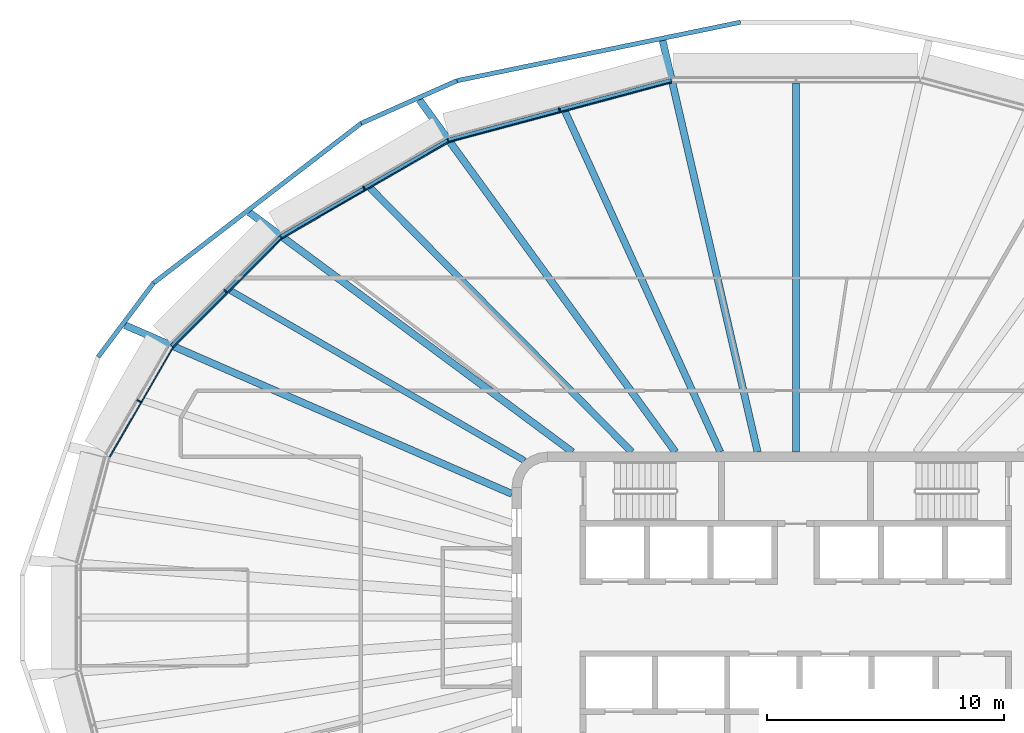
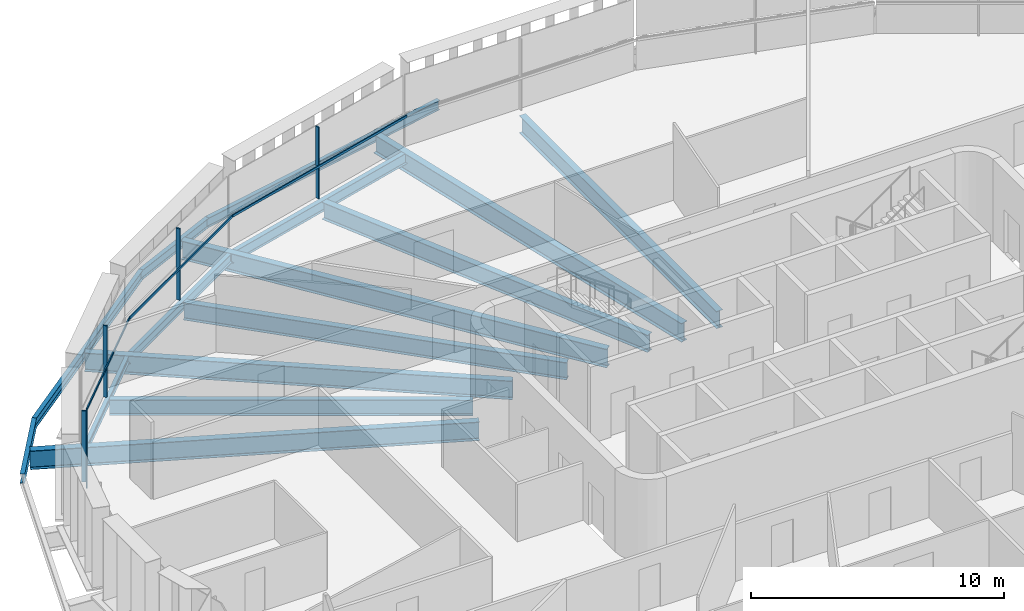
# One storey, part 6 of 20: 15 beams, 8 members, 4 elements without a shape of their own.
"""IFC4 building model written with IfcOpenShell, lengths in metres."""

from ifc_helpers import new_model, si_unit, direction, frame, origin, origin_2d, place, context, subcontext, project, spatial, rectangle, i_section, extrude, material, layer, layer_set, material_profile, profile_set, type_object, element, aggregate, save


model = new_model("IFC4")

# Units and contexts
model_context = context("Model", 3, precision=1e-05, world=origin(), true_north=direction((0.0, 1.0)))
body_context = subcontext(model_context, "Body", "Model", "MODEL_VIEW")
ifc_project = project(units=[si_unit("LENGTHUNIT", "METRE"), si_unit("AREAUNIT", "SQUARE_METRE"), si_unit("VOLUMEUNIT", "CUBIC_METRE"), si_unit("PLANEANGLEUNIT", "RADIAN"), si_unit("MASSUNIT", "GRAM", prefix="KILO")], contexts=[model_context])

# Site, building, storey
site_placement = place(None, origin())
site = spatial("IfcSite", under=ifc_project, at=site_placement, CompositionType="ELEMENT")
building_placement = place(site_placement, origin())
building = spatial("IfcBuilding", under=site, at=building_placement, Name="Sahrelin Media Tower", CompositionType="ELEMENT")
storey_placement = place(building_placement, frame((0.0, 0.0, 245.60009765625)))
storey = spatial("IfcBuildingStorey", under=building, at=storey_placement, Name="L53", CompositionType="ELEMENT", Elevation=245.60009765625)

# Beams
ifc_material_1 = material(Name="Steel S355", Category="steel")
ifc_material_profile_1 = material_profile(ifc_material_1, i_section(OverallWidth=0.17138671875, OverallDepth=0.35498046875, WebThickness=0.00732421875, FlangeThickness=0.011474609375, FilletRadius=0.01025390625, at=origin_2d()), Name="UB 356x171x51")
ifc_profile_set_1 = profile_set([ifc_material_profile_1], Name="Steel S355")
beam_type_1 = type_object("IfcBeamType", Name="Edge beam EB3", PredefinedType="BEAM", material=ifc_profile_set_1)
beam_1_placement = place(storey_placement, frame((-26.381591796875, 11.476318359375, -0.32763671875), z_axis=(0.707106781187, 0.707106781187, 0.0), x_axis=(-0.707106781187, 0.707106781187, 0.0)))
element("IfcBeam", 1, at=beam_1_placement, inside=storey, type_object=beam_type_1, Name="Edge beam L53-16", PredefinedType="BEAM", context=body_context, shape_type="SweptSolid", body=[
    extrude(i_section(OverallWidth=0.17138671875, OverallDepth=0.35498046875, WebThickness=0.00732421875, FlangeThickness=0.011474609375, FilletRadius=0.01025390625, at=origin_2d()), origin(), (0.0, 0.0, 1.0), 6.508544921875),
])
ifc_material_profile_2 = material_profile(ifc_material_1, i_section(OverallWidth=0.1904296875, OverallDepth=0.45703125, WebThickness=0.009033203125, FlangeThickness=0.014404296875, FilletRadius=0.01025390625, at=origin_2d()), Name="UB 457x191x74")
ifc_profile_set_2 = profile_set([ifc_material_profile_2], Name="Steel S355")
beam_type_2 = type_object("IfcBeamType", Name="Edge beam EB5", PredefinedType="BEAM", material=ifc_profile_set_2)
beam_2_placement = place(storey_placement, frame((-21.756591796875, 16.095947265625, -0.378662109375), z_axis=(0.866024038412, 0.500002364886, 0.0), x_axis=(-0.500002364886, 0.866024038412, 0.0)))
element("IfcBeam", 2, at=beam_2_placement, inside=storey, type_object=beam_type_2, Name="Edge beam L53-17", PredefinedType="BEAM", context=body_context, shape_type="SweptSolid", body=[
    extrude(i_section(OverallWidth=0.1904296875, OverallDepth=0.45703125, WebThickness=0.009033203125, FlangeThickness=0.014404296875, FilletRadius=0.01025390625, at=origin_2d()), origin(), (0.0, 0.0, 1.0), 8.12890625),
])
ifc_material_profile_3 = material_profile(ifc_material_1, i_section(OverallWidth=0.208740234375, OverallDepth=0.5283203125, WebThickness=0.009521484375, FlangeThickness=0.01318359375, FilletRadius=0.0126953125, at=origin_2d()), Name="UB 533x210x82")
ifc_profile_set_3 = profile_set([ifc_material_profile_3], Name="Steel S355")
beam_type_3 = type_object("IfcBeamType", Name="Edge beam EB6", PredefinedType="BEAM", material=ifc_profile_set_3)
beam_3_placement = place(storey_placement, frame((-14.690185546875, 20.17138671875, -0.414306640625), z_axis=(0.965922692081, 0.258830741845, 0.0), x_axis=(-0.258830741845, 0.965922692081, 0.0)))
element("IfcBeam", 3, at=beam_3_placement, inside=storey, type_object=beam_type_3, Name="Edge beam L53-18", PredefinedType="BEAM", context=body_context, shape_type="SweptSolid", body=[
    extrude(i_section(OverallWidth=0.208740234375, OverallDepth=0.5283203125, WebThickness=0.009521484375, FlangeThickness=0.01318359375, FilletRadius=0.0126953125, at=origin_2d()), origin(), (0.0, 0.0, 1.0), 9.755126953125),
])

# Curtain wall, member
ifc_material_2 = material(Name="Champagne anodised aluminium 6063-T6", Category="aluminium")
ifc_layer = layer(ifc_material_2, 0.14990234375)
ifc_layer_set = layer_set([ifc_layer], Name="Tower ribbon curtain wall")
curtain_wall_type = type_object("IfcCurtainWallType", Name="Tower ribbon curtain wall", PredefinedType="NOTDEFINED", material=ifc_layer_set)
curtain_wall_1_placement = place(storey_placement, frame((-10.017578125, 21.578857421875, 0.0), z_axis=(0.0, 0.0, 1.0), x_axis=(1.0, 0.0, 0.0)))
curtain_wall_1 = element("IfcCurtainWall", 4, at=curtain_wall_1_placement, inside=storey, type_object=curtain_wall_type, Name="L53:CW:L53-07", PredefinedType="NOTDEFINED")
ifc_material_profile_4 = material_profile(ifc_material_2, rectangle(XDim=0.06005859375, YDim=0.175048828125, at=origin_2d()), Name="Mullion 60x175")
ifc_profile_set_4 = profile_set([ifc_material_profile_4], Name="Champagne anodised aluminium 6063-T6")
member_type_1 = type_object("IfcMemberType", Name="Mullion 60x175 CW1B", PredefinedType="MULLION", material=ifc_profile_set_4)
member_1_placement = place(storey_placement, frame((-9.98974609375, 21.474853515625, 0.0), z_axis=(0.0, 0.0, 1.0), x_axis=(-0.965925374563, -0.258820730961, 0.0)))
member_1 = element("IfcMember", 5, at=member_1_placement, type_object=member_type_1, Name="L53:CWM:L53-07", PredefinedType="MULLION", context=body_context, shape_type="SweptSolid", body=[
    extrude(rectangle(XDim=0.06005859375, YDim=0.175048828125, at=origin_2d()), origin(), (0.0, 0.0, 1.0), 3.448486328125),
])

curtain_wall_2_placement = place(storey_placement, frame((-18.3115234375, 18.258056640625, 0.0), z_axis=(0.0, 0.0, 1.0), x_axis=(1.0, 0.0, 0.0)))
curtain_wall_2 = element("IfcCurtainWall", 6, at=curtain_wall_2_placement, inside=storey, type_object=curtain_wall_type, Name="L53:CW:L53-08", PredefinedType="NOTDEFINED")
member_2_placement = place(storey_placement, frame((-18.2578125, 18.1650390625, 0.0), z_axis=(0.0, 0.0, 1.0), x_axis=(-0.866027149108, -0.499996976998, 0.0)))
member_2 = element("IfcMember", 7, at=member_2_placement, type_object=member_type_1, Name="L53:CWM:L53-08", PredefinedType="MULLION", context=body_context, shape_type="SweptSolid", body=[
    extrude(rectangle(XDim=0.06005859375, YDim=0.175048828125, at=origin_2d()), origin(), (0.0, 0.0, 1.0), 3.448486328125),
])

curtain_wall_3_placement = place(storey_placement, frame((-24.1865234375, 13.883544921875, 0.0), z_axis=(0.0, 0.0, 1.0), x_axis=(1.0, 0.0, 0.0)))
curtain_wall_3 = element("IfcCurtainWall", 8, at=curtain_wall_3_placement, inside=storey, type_object=curtain_wall_type, Name="L53:CW:L53-09", PredefinedType="NOTDEFINED")
member_3_placement = place(storey_placement, frame((-24.110595703125, 13.807373046875, 0.0), z_axis=(0.0, 0.0, 1.0), x_axis=(-0.707106781187, -0.707106781187, 0.0)))
member_3 = element("IfcMember", 9, at=member_3_placement, type_object=member_type_1, Name="L53:CWM:L53-09", PredefinedType="MULLION", context=body_context, shape_type="SweptSolid", body=[
    extrude(rectangle(XDim=0.06005859375, YDim=0.175048828125, at=origin_2d()), origin(), (0.0, 0.0, 1.0), 3.448486328125),
])

curtain_wall_4_placement = place(storey_placement, frame((-27.865234375, 9.214111328125, 0.0), z_axis=(0.0, 0.0, 1.0), x_axis=(1.0, 0.0, 0.0)))
curtain_wall_4 = element("IfcCurtainWall", 10, at=curtain_wall_4_placement, inside=storey, type_object=curtain_wall_type, Name="L53:CW:L53-10", PredefinedType="NOTDEFINED")
member_4_placement = place(storey_placement, frame((-27.772216796875, 9.16015625, 0.0), z_axis=(0.0, 0.0, 1.0), x_axis=(-0.500009068969, -0.866020167749, 0.0)))
member_4 = element("IfcMember", 11, at=member_4_placement, type_object=member_type_1, Name="L53:CWM:L53-10", PredefinedType="MULLION", context=body_context, shape_type="SweptSolid", body=[
    extrude(rectangle(XDim=0.06005859375, YDim=0.175048828125, at=origin_2d()), origin(), (0.0, 0.0, 1.0), 3.448486328125),
])

# Beams
ifc_material_profile_5 = material_profile(ifc_material_1, i_section(OverallWidth=0.30322265625, OverallDepth=0.903076171875, WebThickness=0.01513671875, FlangeThickness=0.020263671875, FilletRadius=0.01904296875, at=origin_2d()), Name="UB 914x305x201")
ifc_profile_set_5 = profile_set([ifc_material_profile_5], Name="Steel S355")
beam_type_4 = type_object("IfcBeamType", Name="Radial primary beam PB11", PredefinedType="BEAM", material=ifc_profile_set_5)
beam_4_placement = place(storey_placement, frame((-1.615478515625, 7.0, -0.6015625), z_axis=(-0.224863501495, 0.97439027381, 0.0), x_axis=(-0.97439027381, -0.224863501495, 0.0)))
element("IfcBeam", 12, at=beam_4_placement, inside=storey, type_object=beam_type_4, Name="Radial beam L53-07", PredefinedType="BEAM", context=body_context, shape_type="SweptSolid", body=[
    extrude(i_section(OverallWidth=0.30322265625, OverallDepth=0.903076171875, WebThickness=0.01513671875, FlangeThickness=0.020263671875, FilletRadius=0.01904296875, at=origin_2d()), origin(), (0.0, 0.0, 1.0), 17.853759765625),
])
beam_5_placement = place(storey_placement, frame((-5.08837890625, 7.0, -0.6015625), z_axis=(-0.587991106654, 0.808867392405, 0.0), x_axis=(-0.808867392405, -0.587991106654, 0.0)))
element("IfcBeam", 13, at=beam_5_placement, inside=storey, type_object=beam_type_4, Name="Radial beam L53-08", PredefinedType="BEAM", context=body_context, shape_type="SweptSolid", body=[
    extrude(i_section(OverallWidth=0.30322265625, OverallDepth=0.903076171875, WebThickness=0.01513671875, FlangeThickness=0.020263671875, FilletRadius=0.01904296875, at=origin_2d()), origin(), (0.0, 0.0, 1.0), 18.4091796875),
])
beam_6_placement = place(storey_placement, frame((-9.441162109375, 7.0, -0.6015625), z_axis=(-0.803287986213, 0.59559080853, 0.0), x_axis=(-0.59559080853, -0.803287986213, 0.0)))
element("IfcBeam", 14, at=beam_6_placement, inside=storey, type_object=beam_type_4, Name="Radial beam L53-09", PredefinedType="BEAM", context=body_context, shape_type="SweptSolid", body=[
    extrude(i_section(OverallWidth=0.30322265625, OverallDepth=0.903076171875, WebThickness=0.01513671875, FlangeThickness=0.020263671875, FilletRadius=0.01904296875, at=origin_2d()), origin(), (0.0, 0.0, 1.0), 17.018310546875),
])
beam_7_placement = place(storey_placement, frame((-12.0, 5.2314453125, -0.6015625), z_axis=(-0.916673104174, 0.399637861174, 0.0), x_axis=(-0.399637861174, -0.916673104174, 0.0)))
element("IfcBeam", 15, at=beam_7_placement, inside=storey, type_object=beam_type_4, Name="Radial beam L53-10", PredefinedType="BEAM", context=body_context, shape_type="SweptSolid", body=[
    extrude(i_section(OverallWidth=0.30322265625, OverallDepth=0.903076171875, WebThickness=0.01513671875, FlangeThickness=0.020263671875, FilletRadius=0.01904296875, at=origin_2d()), origin(), (0.0, 0.0, 1.0), 17.85546875),
])
ifc_material_profile_6 = material_profile(ifc_material_1, i_section(OverallWidth=0.291748046875, OverallDepth=0.8349609375, WebThickness=0.013916015625, FlangeThickness=0.018798828125, FilletRadius=0.017822265625, at=origin_2d()), Name="UB 838x292x176")
ifc_profile_set_6 = profile_set([ifc_material_profile_6], Name="Steel S355")
beam_type_5 = type_object("IfcBeamType", Name="Radial secondary beam SB10", PredefinedType="BEAM", material=ifc_profile_set_6)
beam_8_placement = place(storey_placement, frame((0.0, 7.0, -0.567626953125), z_axis=(0.0, 1.0, 0.0), x_axis=(-1.0, 0.0, 0.0)))
element("IfcBeam", 16, at=beam_8_placement, inside=storey, type_object=beam_type_5, Name="Secondary beam L53-06", PredefinedType="BEAM", context=body_context, shape_type="SweptSolid", body=[
    extrude(i_section(OverallWidth=0.291748046875, OverallDepth=0.8349609375, WebThickness=0.013916015625, FlangeThickness=0.018798828125, FilletRadius=0.017822265625, at=origin_2d()), origin(), (0.0, 0.0, 1.0), 15.595703125),
])
beam_9_placement = place(storey_placement, frame((-3.19091796875, 7.0, -0.567626953125), z_axis=(-0.414752003644, 0.90993448966, 0.0), x_axis=(-0.90993448966, -0.414752003644, 0.0)))
element("IfcBeam", 17, at=beam_9_placement, inside=storey, type_object=beam_type_5, Name="Secondary beam L53-07", PredefinedType="BEAM", context=body_context, shape_type="SweptSolid", body=[
    extrude(i_section(OverallWidth=0.291748046875, OverallDepth=0.8349609375, WebThickness=0.013916015625, FlangeThickness=0.018798828125, FilletRadius=0.017822265625, at=origin_2d()), origin(), (0.0, 0.0, 1.0), 15.8115234375),
])
beam_10_placement = place(storey_placement, frame((-6.934326171875, 7.0, -0.567626953125), z_axis=(-0.70375757682, 0.710440196687, 0.0), x_axis=(-0.710440196687, -0.70375757682, 0.0)))
element("IfcBeam", 18, at=beam_10_placement, inside=storey, type_object=beam_type_5, Name="Secondary beam L53-08", PredefinedType="BEAM", context=body_context, shape_type="SweptSolid", body=[
    extrude(i_section(OverallWidth=0.291748046875, OverallDepth=0.8349609375, WebThickness=0.013916015625, FlangeThickness=0.018798828125, FilletRadius=0.017822265625, at=origin_2d()), origin(), (0.0, 0.0, 1.0), 15.70947265625),
])
ifc_material_profile_7 = material_profile(ifc_material_1, i_section(OverallWidth=0.26513671875, OverallDepth=0.75390625, WebThickness=0.0126953125, FlangeThickness=0.017578125, FilletRadius=0.0166015625, at=origin_2d()), Name="UB 762x267x147")
ifc_profile_set_7 = profile_set([ifc_material_profile_7], Name="Steel S355")
beam_type_6 = type_object("IfcBeamType", Name="Radial secondary beam SB9", PredefinedType="BEAM", material=ifc_profile_set_7)
beam_11_placement = place(storey_placement, frame((-11.465087890625, 6.634033203125, -0.527099609375), z_axis=(-0.865540628134, 0.500838717602, 0.0), x_axis=(-0.500838717602, -0.865540628134, 0.0)))
element("IfcBeam", 19, at=beam_11_placement, inside=storey, type_object=beam_type_6, Name="Secondary beam L53-09", PredefinedType="BEAM", context=body_context, shape_type="SweptSolid", body=[
    extrude(i_section(OverallWidth=0.26513671875, OverallDepth=0.75390625, WebThickness=0.0126953125, FlangeThickness=0.017578125, FilletRadius=0.0166015625, at=origin_2d()), origin(), (0.0, 0.0, 1.0), 14.371826171875),
])
ifc_material_profile_8 = material_profile(ifc_material_1, i_section(OverallWidth=0.1904296875, OverallDepth=0.45703125, WebThickness=0.009033203125, FlangeThickness=0.014404296875, FilletRadius=0.01025390625, at=origin_2d()), Name="UB 457x191x74")
ifc_profile_set_8 = profile_set([ifc_material_profile_8], Name="Steel S355")
beam_type_7 = type_object("IfcBeamType", Name="Tie chord TC5", PredefinedType="BEAM", material=ifc_profile_set_8)
beam_12_placement = place(storey_placement, frame((-2.34033203125, 25.172119140625, -0.378662109375), z_axis=(-0.979389071905, -0.201982785984, 0.0), x_axis=(0.201982785984, -0.979389071905, 0.0)))
element("IfcBeam", 20, at=beam_12_placement, inside=storey, type_object=beam_type_7, Name="Tie chord L53-07", PredefinedType="BEAM", context=body_context, shape_type="SweptSolid", body=[
    extrude(i_section(OverallWidth=0.1904296875, OverallDepth=0.45703125, WebThickness=0.009033203125, FlangeThickness=0.014404296875, FilletRadius=0.01025390625, at=origin_2d()), origin(), (0.0, 0.0, 1.0), 12.237060546875),
])
beam_13_placement = place(storey_placement, frame((-14.3251953125, 22.700439453125, -0.378662109375), z_axis=(-0.913822895956, -0.406112933586, 0.0), x_axis=(0.406112933586, -0.913822895956, 0.0)))
element("IfcBeam", 21, at=beam_13_placement, inside=storey, type_object=beam_type_7, Name="Tie chord L53-08", PredefinedType="BEAM", context=body_context, shape_type="SweptSolid", body=[
    extrude(i_section(OverallWidth=0.1904296875, OverallDepth=0.45703125, WebThickness=0.009033203125, FlangeThickness=0.014404296875, FilletRadius=0.01025390625, at=origin_2d()), origin(), (0.0, 0.0, 1.0), 4.43603515625),
])
beam_14_placement = place(storey_placement, frame((-18.37890625, 20.89892578125, -0.378662109375), z_axis=(-0.792435403272, -0.60995584401, 0.0), x_axis=(0.60995584401, -0.792435403272, 0.0)))
element("IfcBeam", 22, at=beam_14_placement, inside=storey, type_object=beam_type_7, Name="Tie chord L53-09", PredefinedType="BEAM", context=body_context, shape_type="SweptSolid", body=[
    extrude(i_section(OverallWidth=0.1904296875, OverallDepth=0.45703125, WebThickness=0.009033203125, FlangeThickness=0.014404296875, FilletRadius=0.01025390625, at=origin_2d()), origin(), (0.0, 0.0, 1.0), 11.0712890625),
])
beam_15_placement = place(storey_placement, frame((-27.152099609375, 14.14599609375, -0.378662109375), z_axis=(-0.600080116168, -0.799939906605, 0.0), x_axis=(0.799939906605, -0.600080116168, 0.0)))
element("IfcBeam", 23, at=beam_15_placement, inside=storey, type_object=beam_type_7, Name="Tie chord L53-10", PredefinedType="BEAM", context=body_context, shape_type="SweptSolid", body=[
    extrude(i_section(OverallWidth=0.1904296875, OverallDepth=0.45703125, WebThickness=0.009033203125, FlangeThickness=0.014404296875, FilletRadius=0.01025390625, at=origin_2d()), origin(), (0.0, 0.0, 1.0), 3.900390625),
])

# Member
ifc_material_profile_9 = material_profile(ifc_material_2, rectangle(XDim=0.050048828125, YDim=0.110107421875, at=origin_2d()), Name="Transom 50x110")
ifc_profile_set_9 = profile_set([ifc_material_profile_9], Name="Champagne anodised aluminium 6063-T6")
member_type_2 = type_object("IfcMemberType", Name="Transom 50x110 CW1B", PredefinedType="USERDEFINED", material=ifc_profile_set_9)
member_5_placement = place(storey_placement, frame((-5.2646484375, 22.62451171875, 1.599853515625), z_axis=(-0.965925860392, -0.25881891783, 0.0), x_axis=(0.25881891783, -0.965925860392, 0.0)))
member_5 = element("IfcMember", 24, at=member_5_placement, type_object=member_type_2, Name="L53:CWT:L53-07", ObjectType="TRANSOM", PredefinedType="USERDEFINED", context=body_context, shape_type="SweptSolid", body=[
    extrude(rectangle(XDim=0.050048828125, YDim=0.110107421875, at=origin_2d()), origin(), (0.0, 0.0, 1.0), 9.723388671875),
])

aggregate(curtain_wall_1, [member_1, member_5])

member_6_placement = place(storey_placement, frame((-14.6953125, 20.092041015625, 1.599853515625), z_axis=(-0.866022911947, -0.500004315964, 0.0), x_axis=(0.500004315964, -0.866022911947, 0.0)))
member_6 = element("IfcMember", 25, at=member_6_placement, type_object=member_type_2, Name="L53:CWT:L53-08", ObjectType="TRANSOM", PredefinedType="USERDEFINED", context=body_context, shape_type="SweptSolid", body=[
    extrude(rectangle(XDim=0.050048828125, YDim=0.110107421875, at=origin_2d()), origin(), (0.0, 0.0, 1.0), 8.09765625),
])

aggregate(curtain_wall_2, [member_2, member_6])

member_7_placement = place(storey_placement, frame((-21.740966796875, 16.017822265625, 1.599853515625), z_axis=(-0.707125627567, -0.707087934304, 0.0), x_axis=(0.707087934304, -0.707125627567, 0.0)))
member_7 = element("IfcMember", 26, at=member_7_placement, type_object=member_type_2, Name="L53:CWT:L53-09", ObjectType="TRANSOM", PredefinedType="USERDEFINED", context=body_context, shape_type="SweptSolid", body=[
    extrude(rectangle(XDim=0.050048828125, YDim=0.110107421875, at=origin_2d()), origin(), (0.0, 0.0, 1.0), 6.47705078125),
])

aggregate(curtain_wall_3, [member_3, member_7])

member_8_placement = place(storey_placement, frame((-26.346435546875, 11.40478515625, 1.599853515625), z_axis=(-0.500003519352, -0.866023371876, 0.0), x_axis=(0.866023371876, -0.500003519352, 0.0)))
member_8 = element("IfcMember", 27, at=member_8_placement, type_object=member_type_2, Name="L53:CWT:L53-10", ObjectType="TRANSOM", PredefinedType="USERDEFINED", context=body_context, shape_type="SweptSolid", body=[
    extrude(rectangle(XDim=0.050048828125, YDim=0.110107421875, at=origin_2d()), origin(), (0.0, 0.0, 1.0), 5.3134765625),
])

aggregate(curtain_wall_4, [member_4, member_8])

save(model, "model.ifc")
